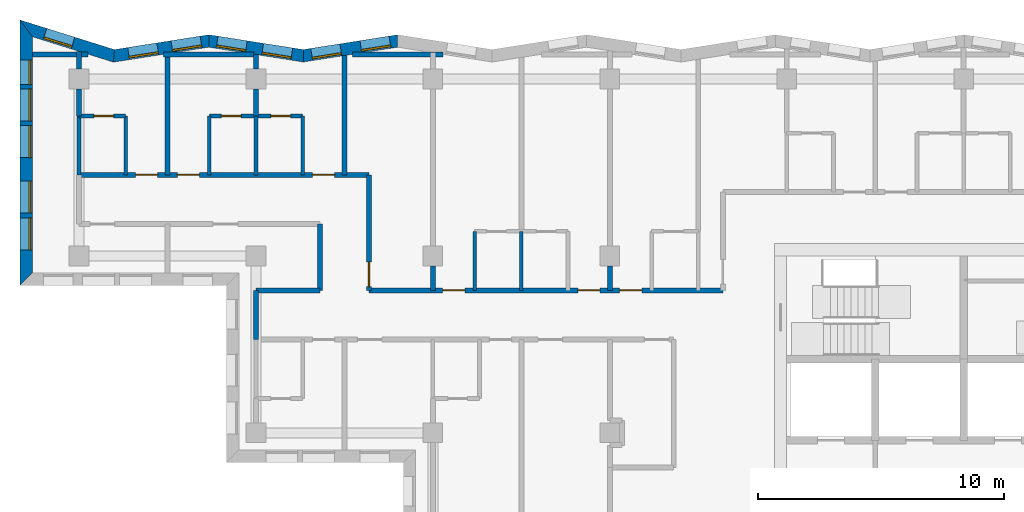
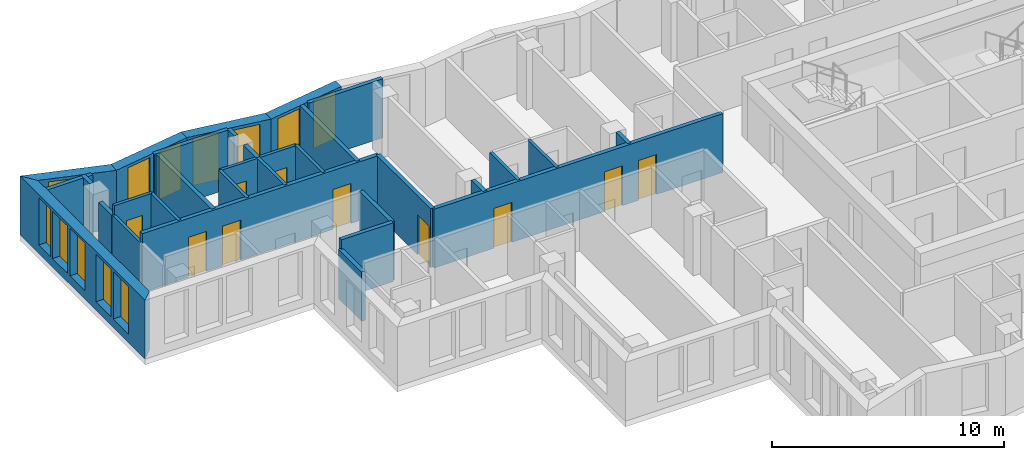
# One storey, part 6 of 13: 31 walls, 12 windows, 10 doors, 22 openings.
"""IFC4 building model written with IfcOpenShell, lengths in metres."""

import ifcopenshell
import ifcopenshell.guid

model = None  # the IFC model being written
_history = None  # IfcOwnerHistory: only IFC2X3 demands one
_inside = {}  # id of a spatial element -> (the spatial element, [elements in it])
_under = {}  # id of a project, library or spatial element -> (it, [spatial elements below it])
_declared = {}  # id of a project -> (the project, [libraries it declares])
_typed = {}  # id of a type object -> (the type object, [elements of that type])
_made_of = {}  # id of a material, layer set ... -> (it, [elements and type objects made of it])


def new_model(schema):
    """Start an empty IFC model of exactly this schema.

    Asked for "IFC4X3", IfcOpenShell would pick the latest addendum, in which some entities
    have other attributes; the version numbers below select the first issue.
    IFC2X3 requires an IfcOwnerHistory on every rooted entity: one is made here for all.
    """
    global model, _history
    if schema == "IFC4X3":
        model = ifcopenshell.file(schema_version=(4, 3, 0, 0))
    else:
        model = ifcopenshell.file(schema=schema)
    _inside.clear()
    _under.clear()
    _declared.clear()
    _typed.clear()
    _made_of.clear()
    _history = None
    if model.schema == "IFC2X3":
        org = make("IfcOrganization", Name="unknown")
        user = make(
            "IfcPersonAndOrganization",
            ThePerson=make("IfcPerson", FamilyName="unknown"),
            TheOrganization=org,
        )
        app = make(
            "IfcApplication",
            ApplicationDeveloper=org,
            Version="unknown",
            ApplicationFullName="unknown",
            ApplicationIdentifier="unknown",
        )
        _history = make(
            "IfcOwnerHistory",
            OwningUser=user,
            OwningApplication=app,
            ChangeAction="ADDED",
            CreationDate=0,
        )
    return model


def make(cls, **values):
    """One entity of the class cls with the attributes given. An attribute that is None is left unset."""
    return model.create_entity(
        cls, **{name: value for name, value in values.items() if value is not None}
    )


def rooted(cls, **values):
    """An entity with a GlobalId (a new one), such as an element, a storey or a relation."""
    return make(cls, GlobalId=ifcopenshell.guid.new(), OwnerHistory=_history, **values)


def si_unit(unit_type, name, prefix=None):
    """IfcSIUnit, for example si_unit("LENGTHUNIT", "METRE", prefix="MILLI")."""
    return make("IfcSIUnit", UnitType=unit_type, Prefix=prefix, Name=name)


def assignment(units):
    """IfcUnitAssignment: the units of a project."""
    return None if units is None else make("IfcUnitAssignment", Units=units)


def point(xyz):
    """IfcCartesianPoint."""
    return None if xyz is None else make("IfcCartesianPoint", Coordinates=xyz)


def direction(xyz):
    """IfcDirection."""
    return None if xyz is None else make("IfcDirection", DirectionRatios=xyz)


def frame(location, z_axis=None, x_axis=None):
    """IfcAxis2Placement3D, a coordinate frame: its origin and axes. An axis left out is left unset."""
    return make(
        "IfcAxis2Placement3D",
        Location=point(location),
        Axis=direction(z_axis),
        RefDirection=direction(x_axis),
    )


def frame_2d(location, x_axis=None):
    """IfcAxis2Placement2D, a coordinate frame in the plane: its origin and x axis."""
    return make(
        "IfcAxis2Placement2D", Location=point(location), RefDirection=direction(x_axis)
    )


def origin():
    """The frame at (0, 0, 0) with its axes left unset."""
    return frame((0.0, 0.0, 0.0))


def place(relative_to, where):
    """IfcLocalPlacement: puts the frame where relative to a parent placement (None: the world)."""
    return make(
        "IfcLocalPlacement", PlacementRelTo=relative_to, RelativePlacement=where
    )


def context(
    kind, dimensions, precision=None, world=None, true_north=None, identifier=None
):
    """IfcGeometricRepresentationContext, for example the 3D "Model" context."""
    return make(
        "IfcGeometricRepresentationContext",
        ContextIdentifier=identifier,
        ContextType=kind,
        CoordinateSpaceDimension=dimensions,
        Precision=precision,
        WorldCoordinateSystem=world,
        TrueNorth=true_north,
    )


def subcontext(parent, identifier, kind, view, scale=None):
    """IfcGeometricRepresentationSubContext, for example "Body" below "Model"."""
    return make(
        "IfcGeometricRepresentationSubContext",
        ContextIdentifier=identifier,
        ContextType=kind,
        ParentContext=parent,
        TargetScale=scale,
        TargetView=view,
    )


def project(units=None, contexts=None):
    """IfcProject with its units and contexts."""
    return rooted(
        "IfcProject",
        Name="project",
        RepresentationContexts=contexts,
        UnitsInContext=assignment(units),
    )


def spatial(cls, under=None, at=None, **own):
    """A site, building, storey or space (cls), placed at a placement, below another one or the project."""
    s = rooted(cls, ObjectPlacement=at, **own)
    if under is not None:
        _under.setdefault(under.id(), (under, []))[1].append(s)
    return s


def polyline(points):
    """IfcPolyline through the points."""
    return make("IfcPolyline", Points=[point(p) for p in points])


def profile(cls, at=None, kind="AREA", **sizes):
    """A parametric profile (cls). Its sizes go by their IFC names, for example OverallWidth=200.0."""
    return make(cls, ProfileType=kind, Position=at, **sizes)


def rectangle(**sizes):
    """IfcRectangleProfileDef."""
    return profile("IfcRectangleProfileDef", **sizes)


def outline(outer, holes=None, kind="AREA"):
    """IfcArbitraryClosedProfileDef: a profile drawn as a closed curve; with holes, ...WithVoids."""
    if holes is None:
        return make("IfcArbitraryClosedProfileDef", ProfileType=kind, OuterCurve=outer)
    return make(
        "IfcArbitraryProfileDefWithVoids",
        ProfileType=kind,
        OuterCurve=outer,
        InnerCurves=holes,
    )


def extrude(swept, where, along, depth):
    """IfcExtrudedAreaSolid: the profile swept, set in the frame where, extruded along a direction by depth."""
    return make(
        "IfcExtrudedAreaSolid",
        SweptArea=swept,
        Position=where,
        ExtrudedDirection=direction(along),
        Depth=depth,
    )


def shape(context_of_items, identifier, shape_type, items):
    """IfcShapeRepresentation: the items that make up one representation, for example the "Body"."""
    return make(
        "IfcShapeRepresentation",
        ContextOfItems=context_of_items,
        RepresentationIdentifier=identifier,
        RepresentationType=shape_type,
        Items=items,
    )


def material(Name=None, Category=None):
    """IfcMaterial."""
    return make("IfcMaterial", Name=Name, Category=Category)


def layer(
    of_material, thickness, ventilated=None, Name=None, Category=None, Priority=None
):
    """IfcMaterialLayer: one layer of a wall or slab, of a material (None: an air gap)."""
    return make(
        "IfcMaterialLayer",
        Material=of_material,
        LayerThickness=thickness,
        IsVentilated=ventilated,
        Name=Name,
        Category=Category,
        Priority=Priority,
    )


def layer_set(layers, Name=None):
    """IfcMaterialLayerSet."""
    return make("IfcMaterialLayerSet", MaterialLayers=layers, LayerSetName=Name)


def made_of(thing, what):
    """Note that an element or type object is made of a material, layer set ...; save() writes the relation."""
    if what is not None:
        _made_of.setdefault(what.id(), (what, []))[1].append(thing)
    return thing


def type_object(cls, material=None, **own):
    """A type object (cls), such as IfcWallType, which elements share."""
    return made_of(rooted(cls, **own), material)


def element(
    cls,
    number,
    at=None,
    inside=None,
    cuts=None,
    type_object=None,
    material=None,
    context=None,
    identifier="Body",
    shape_type=None,
    held_by="IfcProductDefinitionShape",
    body=None,
    shapes=None,
    **own,
):
    """One element of the class cls, such as IfcWall. Its Tag is "e" and its number.

    at: its placement. inside: the storey or other place that contains it. cuts: it is an
    opening in that element (IfcRelVoidsElement). A single representation is given by context,
    identifier, shape_type and body (its items); several are given by shapes. held_by: the class
    of the entity that holds the representations. save() writes the other relations.
    """
    e = rooted(cls, Tag="e%d" % number, ObjectPlacement=at, **own)
    if body is not None:
        shapes = [shape(context, identifier, shape_type, body)]
    if shapes is not None:
        e.Representation = make(held_by, Representations=shapes)
    if inside is not None:
        _inside.setdefault(inside.id(), (inside, []))[1].append(e)
    if cuts is not None:
        rooted(
            "IfcRelVoidsElement", RelatingBuildingElement=cuts, RelatedOpeningElement=e
        )
    if type_object is not None:
        _typed.setdefault(type_object.id(), (type_object, []))[1].append(e)
    return made_of(e, material)


def fill(opening, filler):
    """IfcRelFillsElement: the door or window that sits in an opening."""
    return rooted(
        "IfcRelFillsElement",
        RelatingOpeningElement=opening,
        RelatedBuildingElement=filler,
    )


def aggregate(whole, parts):
    """IfcRelAggregates: a whole, such as a stair, and the parts it consists of."""
    return rooted("IfcRelAggregates", RelatingObject=whole, RelatedObjects=parts)


def save(model, path):
    """Write the relations noted so far, then the file.

    IfcRelAggregates (storeys below a building ...), IfcRelContainedInSpatialStructure (elements
    in a storey), IfcRelDefinesByType, IfcRelAssociatesMaterial and IfcRelDeclares: one each for
    every whole, place, type object, material and project.
    """
    for whole, parts in _under.values():
        aggregate(whole, parts)
    for where, things in _inside.values():
        rooted(
            "IfcRelContainedInSpatialStructure",
            RelatedElements=things,
            RelatingStructure=where,
        )
    for kind, things in _typed.values():
        rooted("IfcRelDefinesByType", RelatedObjects=things, RelatingType=kind)
    for what, things in _made_of.values():
        rooted("IfcRelAssociatesMaterial", RelatedObjects=things, RelatingMaterial=what)
    for by, libraries in _declared.values():
        rooted("IfcRelDeclares", RelatingContext=by, RelatedDefinitions=libraries)
    model.write(path)


model = new_model("IFC4")

# Units and contexts
model_context = context("Model", 3, precision=1e-05, world=origin(), true_north=direction((0.0, 1.0)))
body_context = subcontext(model_context, "Body", "Model", "MODEL_VIEW")
ifc_project = project(units=[si_unit("LENGTHUNIT", "METRE"), si_unit("AREAUNIT", "SQUARE_METRE"), si_unit("VOLUMEUNIT", "CUBIC_METRE"), si_unit("PLANEANGLEUNIT", "RADIAN"), si_unit("MASSUNIT", "GRAM", prefix="KILO")], contexts=[model_context])

# Site, building, storey
site_placement = place(None, origin())
site = spatial("IfcSite", under=ifc_project, at=site_placement, CompositionType="ELEMENT")
building_placement = place(site_placement, origin())
building = spatial("IfcBuilding", under=site, at=building_placement, Name="Windrow Commons", CompositionType="ELEMENT")
storey_placement = place(building_placement, frame((0.0, 0.0, 223.6)))
storey = spatial("IfcBuildingStorey", under=building, at=storey_placement, Name="L61", CompositionType="ELEMENT", Elevation=223.6)

# Wall, openings, windows
ifc_material_1 = material(Name="Brick masonry, red clay brick", Category="masonry")
ifc_layer_1 = layer(ifc_material_1, 0.5)
ifc_layer_set_1 = layer_set([ifc_layer_1], Name="Brick facade wall 500")
wall_type_1 = type_object("IfcWallType", Name="Brick facade wall 500", PredefinedType="SOLIDWALL", material=ifc_layer_set_1)
wall_1_placement = place(storey_placement, frame((41.768, 73.5499, 0.0), z_axis=(0.0, 0.0, 1.0), x_axis=(-0.9879113447, -0.155019918, 0.0)))
wall_1 = element("IfcWall", 1, at=wall_1_placement, inside=storey, type_object=wall_type_1, Name="Brick facade wall L61 27", PredefinedType="SOLIDWALL", context=body_context, shape_type="SweptSolid", body=[
    extrude(outline(polyline([(-0.0392, -0.25), (3.8505, -0.25), (3.929, 0.25), (0.0392, 0.25), (-0.0392, -0.25)])), origin(), (0.0, 0.0, 1.0), 3.1),
])
opening_1_placement = place(wall_1_placement, frame((0.3169, 0.0, 0.45)))
opening_1 = element("IfcOpeningElement", 2, at=opening_1_placement, cuts=wall_1, Name="Opening W7E", PredefinedType="OPENING", context=body_context, shape_type="SweptSolid", body=[
    extrude(rectangle(XDim=1.2, YDim=2.5, at=frame_2d((0.6, 1.25))), frame((0.0, 0.26, 0.0), z_axis=(0.0, -1.0, 0.0), x_axis=(1.0, 0.0, 0.0)), (0.0, 0.0, 1.0), 0.52),
])
opening_2_placement = place(wall_1_placement, frame((2.3421, 0.0, 0.45)))
opening_2 = element("IfcOpeningElement", 3, at=opening_2_placement, cuts=wall_1, Name="Opening W7E", PredefinedType="OPENING", context=body_context, shape_type="SweptSolid", body=[
    extrude(rectangle(XDim=1.2, YDim=2.5, at=frame_2d((0.6, 1.25))), frame((0.0, 0.26, 0.0), z_axis=(0.0, -1.0, 0.0), x_axis=(1.0, 0.0, 0.0)), (0.0, 0.0, 1.0), 0.52),
])
ifc_material_2 = material(Name="Clear float glass in anodised aluminium frame", Category="aluminium")
window_type_1 = type_object("IfcWindowType", Name="Window W7 notch 1200x2500", PartitioningType="SINGLE_PANEL", PredefinedType="WINDOW", material=ifc_material_2)
window_1_placement = place(opening_1_placement, origin())
window_1 = element("IfcWindow", 4, at=window_1_placement, inside=storey, type_object=window_type_1, Name="Window L61 27.1", OverallHeight=2.5, OverallWidth=1.2, PartitioningType="SINGLE_PANEL", PredefinedType="WINDOW", context=body_context, shape_type="SweptSolid", body=[
    extrude(rectangle(XDim=1.2, YDim=2.5, at=frame_2d((0.6, 1.25))), frame((0.0, 0.18, 0.0), z_axis=(0.0, -1.0, 0.0), x_axis=(1.0, 0.0, 0.0)), (0.0, 0.0, 1.0), 0.06),
])
fill(opening_1, window_1)
window_2_placement = place(opening_2_placement, origin())
window_2 = element("IfcWindow", 5, at=window_2_placement, inside=storey, type_object=window_type_1, Name="Window L61 27.2", OverallHeight=2.5, OverallWidth=1.2, PartitioningType="SINGLE_PANEL", PredefinedType="WINDOW", context=body_context, shape_type="SweptSolid", body=[
    extrude(rectangle(XDim=1.2, YDim=2.5, at=frame_2d((0.6, 1.25))), frame((0.0, 0.18, 0.0), z_axis=(0.0, -1.0, 0.0), x_axis=(1.0, 0.0, 0.0)), (0.0, 0.0, 1.0), 0.06),
])
fill(opening_2, window_2)

wall_2_placement = place(storey_placement, frame((37.9252, 72.9469, 0.0), z_axis=(0.0, 0.0, 1.0), x_axis=(-0.9879107269, 0.1550238552, 0.0)))
wall_2 = element("IfcWall", 6, at=wall_2_placement, inside=storey, type_object=wall_type_1, Name="Brick facade wall L61 28", PredefinedType="SOLIDWALL", context=body_context, shape_type="SweptSolid", body=[
    extrude(outline(polyline([(0.0392, -0.25), (3.929, -0.25), (3.8505, 0.25), (-0.0392, 0.25), (0.0392, -0.25)])), origin(), (0.0, 0.0, 1.0), 3.1),
])
opening_3_placement = place(wall_2_placement, frame((0.4744, 0.0, 0.45)))
opening_3 = element("IfcOpeningElement", 7, at=opening_3_placement, cuts=wall_2, Name="Opening W7E", PredefinedType="OPENING", context=body_context, shape_type="SweptSolid", body=[
    extrude(rectangle(XDim=1.2, YDim=2.5, at=frame_2d((0.6, 1.25))), frame((0.0, 0.26, 0.0), z_axis=(0.0, -1.0, 0.0), x_axis=(1.0, 0.0, 0.0)), (0.0, 0.0, 1.0), 0.52),
])
opening_4_placement = place(wall_2_placement, frame((2.3497, 0.0, 0.45)))
opening_4 = element("IfcOpeningElement", 8, at=opening_4_placement, cuts=wall_2, Name="Opening W7E", PredefinedType="OPENING", context=body_context, shape_type="SweptSolid", body=[
    extrude(rectangle(XDim=1.2, YDim=2.5, at=frame_2d((0.6, 1.25))), frame((0.0, 0.26, 0.0), z_axis=(0.0, -1.0, 0.0), x_axis=(1.0, 0.0, 0.0)), (0.0, 0.0, 1.0), 0.52),
])
window_3_placement = place(opening_3_placement, origin())
window_3 = element("IfcWindow", 9, at=window_3_placement, inside=storey, type_object=window_type_1, Name="Window L61 28.1", OverallHeight=2.5, OverallWidth=1.2, PartitioningType="SINGLE_PANEL", PredefinedType="WINDOW", context=body_context, shape_type="SweptSolid", body=[
    extrude(rectangle(XDim=1.2, YDim=2.5, at=frame_2d((0.6, 1.25))), frame((0.0, 0.18, 0.0), z_axis=(0.0, -1.0, 0.0), x_axis=(1.0, 0.0, 0.0)), (0.0, 0.0, 1.0), 0.06),
])
fill(opening_3, window_3)
window_4_placement = place(opening_4_placement, origin())
window_4 = element("IfcWindow", 10, at=window_4_placement, inside=storey, type_object=window_type_1, Name="Window L61 28.2", OverallHeight=2.5, OverallWidth=1.2, PartitioningType="SINGLE_PANEL", PredefinedType="WINDOW", context=body_context, shape_type="SweptSolid", body=[
    extrude(rectangle(XDim=1.2, YDim=2.5, at=frame_2d((0.6, 1.25))), frame((0.0, 0.18, 0.0), z_axis=(0.0, -1.0, 0.0), x_axis=(1.0, 0.0, 0.0)), (0.0, 0.0, 1.0), 0.06),
])
fill(opening_4, window_4)

wall_3_placement = place(storey_placement, frame((34.0825, 73.5499, 0.0), z_axis=(0.0, 0.0, 1.0), x_axis=(-0.9879139197, -0.1550035072, 0.0)))
wall_3 = element("IfcWall", 11, at=wall_3_placement, inside=storey, type_object=wall_type_1, Name="Brick facade wall L61 29", PredefinedType="SOLIDWALL", context=body_context, shape_type="SweptSolid", body=[
    extrude(outline(polyline([(-0.0392, -0.25), (3.8505, -0.25), (3.9674, 0.25), (0.0392, 0.25), (-0.0392, -0.25)])), origin(), (0.0, 0.0, 1.0), 3.1),
])
opening_5_placement = place(wall_3_placement, frame((0.3212, 0.0, 0.45)))
opening_5 = element("IfcOpeningElement", 12, at=opening_5_placement, cuts=wall_3, Name="Opening W7E", PredefinedType="OPENING", context=body_context, shape_type="SweptSolid", body=[
    extrude(rectangle(XDim=1.2, YDim=2.5, at=frame_2d((0.6, 1.25))), frame((0.0, 0.26, 0.0), z_axis=(0.0, -1.0, 0.0), x_axis=(1.0, 0.0, 0.0)), (0.0, 0.0, 1.0), 0.52),
])
opening_6_placement = place(wall_3_placement, frame((2.106, 0.0, 0.45)))
opening_6 = element("IfcOpeningElement", 13, at=opening_6_placement, cuts=wall_3, Name="Opening W7E", PredefinedType="OPENING", context=body_context, shape_type="SweptSolid", body=[
    extrude(rectangle(XDim=1.2, YDim=2.5, at=frame_2d((0.6, 1.25))), frame((0.0, 0.26, 0.0), z_axis=(0.0, -1.0, 0.0), x_axis=(1.0, 0.0, 0.0)), (0.0, 0.0, 1.0), 0.52),
])
window_5_placement = place(opening_5_placement, origin())
window_5 = element("IfcWindow", 14, at=window_5_placement, inside=storey, type_object=window_type_1, Name="Window L61 29.1", OverallHeight=2.5, OverallWidth=1.2, PartitioningType="SINGLE_PANEL", PredefinedType="WINDOW", context=body_context, shape_type="SweptSolid", body=[
    extrude(rectangle(XDim=1.2, YDim=2.5, at=frame_2d((0.6, 1.25))), frame((0.0, 0.18, 0.0), z_axis=(0.0, -1.0, 0.0), x_axis=(1.0, 0.0, 0.0)), (0.0, 0.0, 1.0), 0.06),
])
fill(opening_5, window_5)
window_6_placement = place(opening_6_placement, origin())
window_6 = element("IfcWindow", 15, at=window_6_placement, inside=storey, type_object=window_type_1, Name="Window L61 29.2", OverallHeight=2.5, OverallWidth=1.2, PartitioningType="SINGLE_PANEL", PredefinedType="WINDOW", context=body_context, shape_type="SweptSolid", body=[
    extrude(rectangle(XDim=1.2, YDim=2.5, at=frame_2d((0.6, 1.25))), frame((0.0, 0.18, 0.0), z_axis=(0.0, -1.0, 0.0), x_axis=(1.0, 0.0, 0.0)), (0.0, 0.0, 1.0), 0.06),
])
fill(opening_6, window_6)

# Wall, opening, window
wall_4_placement = place(storey_placement, frame((30.2208, 72.944, 0.0), z_axis=(0.0, 0.0, 1.0), x_axis=(-0.9543287576, 0.2987584683, 0.0)))
wall_4 = element("IfcWall", 16, at=wall_4_placement, inside=storey, type_object=wall_type_1, Name="Brick facade wall L61 30", PredefinedType="SOLIDWALL", context=body_context, shape_type="SweptSolid", body=[
    extrude(outline(polyline([(0.0584, -0.25), (4.0851, -0.25), (3.4046, 0.25), (-0.0584, 0.25), (0.0584, -0.25)])), origin(), (0.0, 0.0, 1.0), 3.1),
])
opening_7_placement = place(wall_4_placement, frame((1.7467, 0.0, 0.45)))
opening_7 = element("IfcOpeningElement", 17, at=opening_7_placement, cuts=wall_4, Name="Opening W7E", PredefinedType="OPENING", context=body_context, shape_type="SweptSolid", body=[
    extrude(rectangle(XDim=1.2, YDim=2.5, at=frame_2d((0.6, 1.25))), frame((0.0, 0.26, 0.0), z_axis=(0.0, -1.0, 0.0), x_axis=(1.0, 0.0, 0.0)), (0.0, 0.0, 1.0), 0.52),
])
window_7_placement = place(opening_7_placement, origin())
window_7 = element("IfcWindow", 18, at=window_7_placement, inside=storey, type_object=window_type_1, Name="Window L61 30.1", OverallHeight=2.5, OverallWidth=1.2, PartitioningType="SINGLE_PANEL", PredefinedType="WINDOW", context=body_context, shape_type="SweptSolid", body=[
    extrude(rectangle(XDim=1.2, YDim=2.5, at=frame_2d((0.6, 1.25))), frame((0.0, 0.18, 0.0), z_axis=(0.0, -1.0, 0.0), x_axis=(1.0, 0.0, 0.0)), (0.0, 0.0, 1.0), 0.06),
])
fill(opening_7, window_7)

# Wall, openings, windows
wall_5_placement = place(storey_placement, frame((26.647, 74.0628, 0.0), z_axis=(0.0, 0.0, 1.0), x_axis=(0.0, -1.0, 0.0)))
wall_5 = element("IfcWall", 19, at=wall_5_placement, inside=storey, type_object=wall_type_1, Name="Brick facade wall L61 31", PredefinedType="SOLIDWALL", context=body_context, shape_type="SweptSolid", body=[
    extrude(outline(polyline([(-0.3402, -0.25), (10.4628, -0.25), (9.9628, 0.25), (0.3402, 0.25), (-0.3402, -0.25)])), origin(), (0.0, 0.0, 1.0), 3.1),
])
opening_8_placement = place(wall_5_placement, frame((2.4628, 0.0, 0.45)))
opening_8 = element("IfcOpeningElement", 20, at=opening_8_placement, cuts=wall_5, Name="Opening W1Q", PredefinedType="OPENING", context=body_context, shape_type="SweptSolid", body=[
    extrude(rectangle(XDim=1.3, YDim=2.5, at=frame_2d((0.65, 1.25))), frame((0.0, 0.26, 0.0), z_axis=(0.0, -1.0, 0.0), x_axis=(1.0, 0.0, 0.0)), (0.0, 0.0, 1.0), 0.52),
])
opening_9_placement = place(wall_5_placement, frame((3.9628, 0.0, 0.45)))
opening_9 = element("IfcOpeningElement", 21, at=opening_9_placement, cuts=wall_5, Name="Opening W1Q", PredefinedType="OPENING", context=body_context, shape_type="SweptSolid", body=[
    extrude(rectangle(XDim=1.3, YDim=2.5, at=frame_2d((0.65, 1.25))), frame((0.0, 0.26, 0.0), z_axis=(0.0, -1.0, 0.0), x_axis=(1.0, 0.0, 0.0)), (0.0, 0.0, 1.0), 0.52),
])
opening_10_placement = place(wall_5_placement, frame((6.2128, 0.0, 0.45)))
opening_10 = element("IfcOpeningElement", 22, at=opening_10_placement, cuts=wall_5, Name="Opening W1Q", PredefinedType="OPENING", context=body_context, shape_type="SweptSolid", body=[
    extrude(rectangle(XDim=1.3, YDim=2.5, at=frame_2d((0.65, 1.25))), frame((0.0, 0.26, 0.0), z_axis=(0.0, -1.0, 0.0), x_axis=(1.0, 0.0, 0.0)), (0.0, 0.0, 1.0), 0.52),
])
opening_11_placement = place(wall_5_placement, frame((7.7128, 0.0, 0.45)))
opening_11 = element("IfcOpeningElement", 23, at=opening_11_placement, cuts=wall_5, Name="Opening W1Q", PredefinedType="OPENING", context=body_context, shape_type="SweptSolid", body=[
    extrude(rectangle(XDim=1.3, YDim=2.5, at=frame_2d((0.65, 1.25))), frame((0.0, 0.26, 0.0), z_axis=(0.0, -1.0, 0.0), x_axis=(1.0, 0.0, 0.0)), (0.0, 0.0, 1.0), 0.52),
])
opening_12_placement = place(wall_5_placement, frame((1.2879, 0.0, 0.45)))
opening_12 = element("IfcOpeningElement", 24, at=opening_12_placement, cuts=wall_5, Name="Opening W1S", PredefinedType="OPENING", context=body_context, shape_type="SweptSolid", body=[
    extrude(rectangle(XDim=1.0, YDim=2.5, at=frame_2d((0.5, 1.25))), frame((0.0, 0.26, 0.0), z_axis=(0.0, -1.0, 0.0), x_axis=(1.0, 0.0, 0.0)), (0.0, 0.0, 1.0), 0.52),
])
ifc_material_3 = material(Name="Clear float glass in anodised aluminium frame", Category="aluminium")
window_type_2 = type_object("IfcWindowType", Name="Window W1Q pair 1300x2500", PartitioningType="SINGLE_PANEL", PredefinedType="WINDOW", material=ifc_material_3)
window_8_placement = place(opening_8_placement, origin())
window_8 = element("IfcWindow", 25, at=window_8_placement, inside=storey, type_object=window_type_2, Name="Window L61 31.1A", OverallHeight=2.5, OverallWidth=1.3, PartitioningType="SINGLE_PANEL", PredefinedType="WINDOW", context=body_context, shape_type="SweptSolid", body=[
    extrude(rectangle(XDim=1.3, YDim=2.5, at=frame_2d((0.65, 1.25))), frame((0.0, 0.18, 0.0), z_axis=(0.0, -1.0, 0.0), x_axis=(1.0, 0.0, 0.0)), (0.0, 0.0, 1.0), 0.06),
])
fill(opening_8, window_8)
window_9_placement = place(opening_9_placement, origin())
window_9 = element("IfcWindow", 26, at=window_9_placement, inside=storey, type_object=window_type_2, Name="Window L61 31.1B", OverallHeight=2.5, OverallWidth=1.3, PartitioningType="SINGLE_PANEL", PredefinedType="WINDOW", context=body_context, shape_type="SweptSolid", body=[
    extrude(rectangle(XDim=1.3, YDim=2.5, at=frame_2d((0.65, 1.25))), frame((0.0, 0.18, 0.0), z_axis=(0.0, -1.0, 0.0), x_axis=(1.0, 0.0, 0.0)), (0.0, 0.0, 1.0), 0.06),
])
fill(opening_9, window_9)
window_10_placement = place(opening_10_placement, origin())
window_10 = element("IfcWindow", 27, at=window_10_placement, inside=storey, type_object=window_type_2, Name="Window L61 31.2A", OverallHeight=2.5, OverallWidth=1.3, PartitioningType="SINGLE_PANEL", PredefinedType="WINDOW", context=body_context, shape_type="SweptSolid", body=[
    extrude(rectangle(XDim=1.3, YDim=2.5, at=frame_2d((0.65, 1.25))), frame((0.0, 0.18, 0.0), z_axis=(0.0, -1.0, 0.0), x_axis=(1.0, 0.0, 0.0)), (0.0, 0.0, 1.0), 0.06),
])
fill(opening_10, window_10)
window_11_placement = place(opening_11_placement, origin())
window_11 = element("IfcWindow", 28, at=window_11_placement, inside=storey, type_object=window_type_2, Name="Window L61 31.2B", OverallHeight=2.5, OverallWidth=1.3, PartitioningType="SINGLE_PANEL", PredefinedType="WINDOW", context=body_context, shape_type="SweptSolid", body=[
    extrude(rectangle(XDim=1.3, YDim=2.5, at=frame_2d((0.65, 1.25))), frame((0.0, 0.18, 0.0), z_axis=(0.0, -1.0, 0.0), x_axis=(1.0, 0.0, 0.0)), (0.0, 0.0, 1.0), 0.06),
])
fill(opening_11, window_11)
ifc_material_4 = material(Name="Clear float glass in anodised aluminium frame", Category="aluminium")
window_type_3 = type_object("IfcWindowType", Name="Window W1S slit 1000x2500", PartitioningType="SINGLE_PANEL", PredefinedType="WINDOW", material=ifc_material_4)
window_12_placement = place(opening_12_placement, origin())
window_12 = element("IfcWindow", 29, at=window_12_placement, inside=storey, type_object=window_type_3, Name="Window L61 31.3A", OverallHeight=2.5, OverallWidth=1.0, PartitioningType="SINGLE_PANEL", PredefinedType="WINDOW", context=body_context, shape_type="SweptSolid", body=[
    extrude(rectangle(XDim=1.0, YDim=2.5, at=frame_2d((0.5, 1.25))), frame((0.0, 0.18, 0.0), z_axis=(0.0, -1.0, 0.0), x_axis=(1.0, 0.0, 0.0)), (0.0, 0.0, 1.0), 0.06),
])
fill(opening_12, window_12)

# Wall, openings, doors
ifc_material_5 = material(Name="Blockwork partition", Category="masonry")
ifc_layer_2 = layer(ifc_material_5, 0.2)
ifc_layer_set_2 = layer_set([ifc_layer_2], Name="IW-CORRIDOR-200")
wall_type_2 = type_object("IfcWallType", Name="IW-CORRIDOR-200", PredefinedType="PARTITIONING", material=ifc_layer_set_2)
wall_6_placement = place(storey_placement, frame((40.602, 63.4, 0.0), z_axis=(0.0, 0.0, 1.0), x_axis=(1.0, 0.0, 0.0)))
wall_6 = element("IfcWall", 30, at=wall_6_placement, inside=storey, type_object=wall_type_2, Name="W-L61-W003", PredefinedType="PARTITIONING", context=body_context, shape_type="SweptSolid", body=[
    extrude(rectangle(XDim=14.398, YDim=0.2, at=frame_2d((7.199, 0.0))), origin(), (0.0, 0.0, 1.0), 3.1),
])
opening_13_placement = place(wall_6_placement, frame((2.998, 0.0, 0.0)))
opening_13 = element("IfcOpeningElement", 31, at=opening_13_placement, cuts=wall_6, Name="Opening D109S", PredefinedType="OPENING", context=body_context, shape_type="SweptSolid", body=[
    extrude(rectangle(XDim=0.9, YDim=2.1, at=frame_2d((0.45, 1.05))), frame((0.0, 0.11, 0.0), z_axis=(0.0, -1.0, 0.0), x_axis=(1.0, 0.0, 0.0)), (0.0, 0.0, 1.0), 0.22),
])
opening_14_placement = place(wall_6_placement, frame((8.498, 0.0, 0.0)))
opening_14 = element("IfcOpeningElement", 32, at=opening_14_placement, cuts=wall_6, Name="Opening D109S", PredefinedType="OPENING", context=body_context, shape_type="SweptSolid", body=[
    extrude(rectangle(XDim=0.9, YDim=2.1, at=frame_2d((0.45, 1.05))), frame((0.0, 0.11, 0.0), z_axis=(0.0, -1.0, 0.0), x_axis=(1.0, 0.0, 0.0)), (0.0, 0.0, 1.0), 0.22),
])
opening_15_placement = place(wall_6_placement, frame((10.198, 0.0, 0.0)))
opening_15 = element("IfcOpeningElement", 33, at=opening_15_placement, cuts=wall_6, Name="Opening D109S", PredefinedType="OPENING", context=body_context, shape_type="SweptSolid", body=[
    extrude(rectangle(XDim=0.9, YDim=2.1, at=frame_2d((0.45, 1.05))), frame((0.0, 0.11, 0.0), z_axis=(0.0, -1.0, 0.0), x_axis=(1.0, 0.0, 0.0)), (0.0, 0.0, 1.0), 0.22),
])
ifc_material_6 = material(Name="Timber door leaf", Category="wood")
door_type_1 = type_object("IfcDoorType", Name="DT-BEDROOM-900", OperationType="SINGLE_SWING_LEFT", PredefinedType="DOOR", material=ifc_material_6)
door_1_placement = place(opening_13_placement, origin())
door_1 = element("IfcDoor", 34, at=door_1_placement, inside=storey, type_object=door_type_1, Name="D-L61-D015", OperationType="SINGLE_SWING_RIGHT", OverallHeight=2.1, OverallWidth=0.9, PredefinedType="DOOR", context=body_context, shape_type="SweptSolid", body=[
    extrude(rectangle(XDim=0.9, YDim=2.1, at=frame_2d((0.45, 1.05))), frame((0.0, 0.025, 0.0), z_axis=(0.0, -1.0, 0.0), x_axis=(1.0, 0.0, 0.0)), (0.0, 0.0, 1.0), 0.05),
])
fill(opening_13, door_1)
door_2_placement = place(opening_14_placement, origin())
door_2 = element("IfcDoor", 35, at=door_2_placement, inside=storey, type_object=door_type_1, Name="D-L61-D017", OperationType="SINGLE_SWING_LEFT", OverallHeight=2.1, OverallWidth=0.9, PredefinedType="DOOR", context=body_context, shape_type="SweptSolid", body=[
    extrude(rectangle(XDim=0.9, YDim=2.1, at=frame_2d((0.45, 1.05))), frame((0.0, 0.025, 0.0), z_axis=(0.0, -1.0, 0.0), x_axis=(1.0, 0.0, 0.0)), (0.0, 0.0, 1.0), 0.05),
])
fill(opening_14, door_2)
door_3_placement = place(opening_15_placement, origin())
door_3 = element("IfcDoor", 36, at=door_3_placement, inside=storey, type_object=door_type_1, Name="D-L61-D019", OperationType="SINGLE_SWING_RIGHT", OverallHeight=2.1, OverallWidth=0.9, PredefinedType="DOOR", context=body_context, shape_type="SweptSolid", body=[
    extrude(rectangle(XDim=0.9, YDim=2.1, at=frame_2d((0.45, 1.05))), frame((0.0, 0.025, 0.0), z_axis=(0.0, -1.0, 0.0), x_axis=(1.0, 0.0, 0.0)), (0.0, 0.0, 1.0), 0.05),
])
fill(opening_15, door_3)

wall_7_placement = place(storey_placement, frame((28.8, 68.1, 0.0), z_axis=(0.0, 0.0, 1.0), x_axis=(1.0, 0.0, 0.0)))
wall_7 = element("IfcWall", 37, at=wall_7_placement, inside=storey, type_object=wall_type_2, Name="W-L61-W005", PredefinedType="PARTITIONING", context=body_context, shape_type="SweptSolid", body=[
    extrude(rectangle(XDim=11.8, YDim=0.2, at=frame_2d((5.9, 0.0))), origin(), (0.0, 0.0, 1.0), 3.1),
])
opening_16_placement = place(wall_7_placement, frame((2.3, 0.0, 0.0)))
opening_16 = element("IfcOpeningElement", 38, at=opening_16_placement, cuts=wall_7, Name="Opening D109S", PredefinedType="OPENING", context=body_context, shape_type="SweptSolid", body=[
    extrude(rectangle(XDim=0.9, YDim=2.1, at=frame_2d((0.45, 1.05))), frame((0.0, 0.11, 0.0), z_axis=(0.0, -1.0, 0.0), x_axis=(1.0, 0.0, 0.0)), (0.0, 0.0, 1.0), 0.22),
])
opening_17_placement = place(wall_7_placement, frame((4.0, 0.0, 0.0)))
opening_17 = element("IfcOpeningElement", 39, at=opening_17_placement, cuts=wall_7, Name="Opening D109S", PredefinedType="OPENING", context=body_context, shape_type="SweptSolid", body=[
    extrude(rectangle(XDim=0.9, YDim=2.1, at=frame_2d((0.45, 1.05))), frame((0.0, 0.11, 0.0), z_axis=(0.0, -1.0, 0.0), x_axis=(1.0, 0.0, 0.0)), (0.0, 0.0, 1.0), 0.22),
])
opening_18_placement = place(wall_7_placement, frame((9.5, 0.0, 0.0)))
opening_18 = element("IfcOpeningElement", 40, at=opening_18_placement, cuts=wall_7, Name="Opening D109S", PredefinedType="OPENING", context=body_context, shape_type="SweptSolid", body=[
    extrude(rectangle(XDim=0.9, YDim=2.1, at=frame_2d((0.45, 1.05))), frame((0.0, 0.11, 0.0), z_axis=(0.0, -1.0, 0.0), x_axis=(1.0, 0.0, 0.0)), (0.0, 0.0, 1.0), 0.22),
])
door_4_placement = place(opening_16_placement, origin())
door_4 = element("IfcDoor", 41, at=door_4_placement, inside=storey, type_object=door_type_1, Name="D-L61-D002", OperationType="SINGLE_SWING_RIGHT", OverallHeight=2.1, OverallWidth=0.9, PredefinedType="DOOR", context=body_context, shape_type="SweptSolid", body=[
    extrude(rectangle(XDim=0.9, YDim=2.1, at=frame_2d((0.45, 1.05))), frame((0.0, 0.025, 0.0), z_axis=(0.0, -1.0, 0.0), x_axis=(1.0, 0.0, 0.0)), (0.0, 0.0, 1.0), 0.05),
])
fill(opening_16, door_4)
door_5_placement = place(opening_17_placement, origin())
door_5 = element("IfcDoor", 42, at=door_5_placement, inside=storey, type_object=door_type_1, Name="D-L61-D004", OperationType="SINGLE_SWING_LEFT", OverallHeight=2.1, OverallWidth=0.9, PredefinedType="DOOR", context=body_context, shape_type="SweptSolid", body=[
    extrude(rectangle(XDim=0.9, YDim=2.1, at=frame_2d((0.45, 1.05))), frame((0.0, 0.025, 0.0), z_axis=(0.0, -1.0, 0.0), x_axis=(1.0, 0.0, 0.0)), (0.0, 0.0, 1.0), 0.05),
])
fill(opening_17, door_5)
door_6_placement = place(opening_18_placement, origin())
door_6 = element("IfcDoor", 43, at=door_6_placement, inside=storey, type_object=door_type_1, Name="D-L61-D006", OperationType="SINGLE_SWING_RIGHT", OverallHeight=2.1, OverallWidth=0.9, PredefinedType="DOOR", context=body_context, shape_type="SweptSolid", body=[
    extrude(rectangle(XDim=0.9, YDim=2.1, at=frame_2d((0.45, 1.05))), frame((0.0, 0.025, 0.0), z_axis=(0.0, -1.0, 0.0), x_axis=(1.0, 0.0, 0.0)), (0.0, 0.0, 1.0), 0.05),
])
fill(opening_18, door_6)

# Wall, opening, door
wall_8_placement = place(storey_placement, frame((40.6, 63.402, 0.0), z_axis=(0.0, 0.0, 1.0), x_axis=(0.0, 1.0, 0.0)))
wall_8 = element("IfcWall", 44, at=wall_8_placement, inside=storey, type_object=wall_type_2, Name="W-L61-W035", PredefinedType="PARTITIONING", context=body_context, shape_type="SweptSolid", body=[
    extrude(rectangle(XDim=4.698, YDim=0.2, at=frame_2d((2.349, 0.0))), origin(), (0.0, 0.0, 1.0), 3.1),
])
opening_19_placement = place(wall_8_placement, frame((0.1459, 0.0, 0.0)))
opening_19 = element("IfcOpeningElement", 45, at=opening_19_placement, cuts=wall_8, Name="Opening D310F", PredefinedType="OPENING", context=body_context, shape_type="SweptSolid", body=[
    extrude(rectangle(XDim=1.0, YDim=2.1, at=frame_2d((0.5, 1.05))), frame((0.0, 0.11, 0.0), z_axis=(0.0, -1.0, 0.0), x_axis=(1.0, 0.0, 0.0)), (0.0, 0.0, 1.0), 0.22),
])
ifc_material_7 = material(Name="Timber door leaf", Category="wood")
door_type_2 = type_object("IfcDoorType", Name="DT-AMENITY-1000", OperationType="SINGLE_SWING_LEFT", PredefinedType="DOOR", material=ifc_material_7)
door_7_placement = place(opening_19_placement, origin())
door_7 = element("IfcDoor", 46, at=door_7_placement, inside=storey, type_object=door_type_2, Name="D-L61-D014", OperationType="SINGLE_SWING_LEFT", OverallHeight=2.1, OverallWidth=1.0, PredefinedType="DOOR", context=body_context, shape_type="SweptSolid", body=[
    extrude(rectangle(XDim=1.0, YDim=2.1, at=frame_2d((0.5, 1.05))), frame((0.0, 0.025, 0.0), z_axis=(0.0, -1.0, 0.0), x_axis=(1.0, 0.0, 0.0)), (0.0, 0.0, 1.0), 0.05),
])
fill(opening_19, door_7)

# Walls
wall_9_placement = place(storey_placement, frame((38.6, 63.402, 0.0), z_axis=(0.0, 0.0, 1.0), x_axis=(0.0, 1.0, 0.0)))
element("IfcWall", 47, at=wall_9_placement, inside=storey, type_object=wall_type_2, Name="W-L61-W064", PredefinedType="PARTITIONING", context=body_context, shape_type="SweptSolid", body=[
    extrude(rectangle(XDim=2.696, YDim=0.2, at=frame_2d((1.348, 0.0))), origin(), (0.0, 0.0, 1.0), 3.1),
])
wall_10_placement = place(storey_placement, frame((36.002, 63.4, 0.0), z_axis=(0.0, 0.0, 1.0), x_axis=(1.0, 0.0, 0.0)))
element("IfcWall", 48, at=wall_10_placement, inside=storey, type_object=wall_type_2, Name="W-L61-W067", PredefinedType="PARTITIONING", context=body_context, shape_type="SweptSolid", body=[
    extrude(rectangle(XDim=2.598, YDim=0.2, at=frame_2d((1.299, 0.0))), origin(), (0.0, 0.0, 1.0), 3.1),
])
wall_11_placement = place(storey_placement, frame((36.0, 61.4, 0.0), z_axis=(0.0, 0.0, 1.0), x_axis=(0.0, 1.0, 0.0)))
element("IfcWall", 49, at=wall_11_placement, inside=storey, type_object=wall_type_2, Name="W-L61-W107", PredefinedType="PARTITIONING", context=body_context, shape_type="SweptSolid", body=[
    extrude(rectangle(XDim=2.0, YDim=0.2, at=frame_2d((1.0, 0.0))), origin(), (0.0, 0.0, 1.0), 2.6),
])

# Wall, openings, doors
ifc_material_8 = material(Name="Blockwork partition", Category="masonry")
ifc_layer_3 = layer(ifc_material_8, 0.15)
ifc_layer_set_3 = layer_set([ifc_layer_3], Name="IW-ENSUITE-150")
wall_type_3 = type_object("IfcWallType", Name="IW-ENSUITE-150", PredefinedType="PARTITIONING", material=ifc_layer_set_3)
wall_12_placement = place(storey_placement, frame((34.1, 70.5, 0.0), z_axis=(0.0, 0.0, 1.0), x_axis=(1.0, 0.0, 0.0)))
wall_12 = element("IfcWall", 50, at=wall_12_placement, inside=storey, type_object=wall_type_3, Name="W-L61-W050", PredefinedType="PARTITIONING", context=body_context, shape_type="SweptSolid", body=[
    extrude(rectangle(XDim=3.8, YDim=0.15, at=frame_2d((1.9, 0.0))), origin(), (0.0, 0.0, 1.0), 3.1),
])
opening_20_placement = place(wall_12_placement, frame((0.4931, 0.0, 0.0)))
opening_20 = element("IfcOpeningElement", 51, at=opening_20_placement, cuts=wall_12, Name="Opening D208N", PredefinedType="OPENING", context=body_context, shape_type="SweptSolid", body=[
    extrude(rectangle(XDim=0.8, YDim=2.1, at=frame_2d((0.4, 1.05))), frame((0.0, 0.085, 0.0), z_axis=(0.0, -1.0, 0.0), x_axis=(1.0, 0.0, 0.0)), (0.0, 0.0, 1.0), 0.17),
])
opening_21_placement = place(wall_12_placement, frame((2.5069, 0.0, 0.0)))
opening_21 = element("IfcOpeningElement", 52, at=opening_21_placement, cuts=wall_12, Name="Opening D208N", PredefinedType="OPENING", context=body_context, shape_type="SweptSolid", body=[
    extrude(rectangle(XDim=0.8, YDim=2.1, at=frame_2d((0.4, 1.05))), frame((0.0, 0.085, 0.0), z_axis=(0.0, -1.0, 0.0), x_axis=(1.0, 0.0, 0.0)), (0.0, 0.0, 1.0), 0.17),
])
ifc_material_9 = material(Name="Timber door leaf", Category="wood")
door_type_3 = type_object("IfcDoorType", Name="DT-ENSUITE-800", OperationType="SINGLE_SWING_LEFT", PredefinedType="DOOR", material=ifc_material_9)
door_8_placement = place(opening_20_placement, origin())
door_8 = element("IfcDoor", 53, at=door_8_placement, inside=storey, type_object=door_type_3, Name="D-L61-D005", OperationType="SINGLE_SWING_RIGHT", OverallHeight=2.1, OverallWidth=0.8, PredefinedType="DOOR", context=body_context, shape_type="SweptSolid", body=[
    extrude(rectangle(XDim=0.8, YDim=2.1, at=frame_2d((0.4, 1.05))), frame((0.0, 0.025, 0.0), z_axis=(0.0, -1.0, 0.0), x_axis=(1.0, 0.0, 0.0)), (0.0, 0.0, 1.0), 0.05),
])
fill(opening_20, door_8)
door_9_placement = place(opening_21_placement, origin())
door_9 = element("IfcDoor", 54, at=door_9_placement, inside=storey, type_object=door_type_3, Name="D-L61-D007", OperationType="SINGLE_SWING_RIGHT", OverallHeight=2.1, OverallWidth=0.8, PredefinedType="DOOR", context=body_context, shape_type="SweptSolid", body=[
    extrude(rectangle(XDim=0.8, YDim=2.1, at=frame_2d((0.4, 1.05))), frame((0.0, 0.025, 0.0), z_axis=(0.0, -1.0, 0.0), x_axis=(1.0, 0.0, 0.0)), (0.0, 0.0, 1.0), 0.05),
])
fill(opening_21, door_9)

# Walls
wall_13_placement = place(storey_placement, frame((28.8, 68.1, 0.0), z_axis=(0.0, 0.0, 1.0), x_axis=(0.0, 1.0, 0.0)))
element("IfcWall", 55, at=wall_13_placement, inside=storey, type_object=wall_type_3, Name="W-L61-W073", PredefinedType="PARTITIONING", context=body_context, shape_type="SweptSolid", body=[
    extrude(rectangle(XDim=2.4, YDim=0.15, at=frame_2d((1.2, 0.0))), origin(), (0.0, 0.0, 1.0), 2.6),
])
for number, where, z_axis, x_axis, name in (
    (56, (30.7, 68.1, 0.0), (0.0, 0.0, 1.0), (0.0, 1.0, 0.0), "W-L61-W074"),
    (57, (34.1, 68.1, 0.0), (0.0, 0.0, 1.0), (0.0, 1.0, 0.0), "W-L61-W075"),
    (58, (37.9, 68.1, 0.0), (0.0, 0.0, 1.0), (0.0, 1.0, 0.0), "W-L61-W076"),
    (59, (36.0, 68.1, 0.0), (0.0, 0.0, 1.0), (0.0, 1.0, 0.0), "W-L61-W077"),
    (60, (44.9, 63.4, 0.0), (0.0, 0.0, 1.0), (0.0, 1.0, 0.0), "W-L61-W084"),
    (61, (46.8, 63.4, 0.0), (0.0, 0.0, 1.0), (0.0, 1.0, 0.0), "W-L61-W085"),
):
    element("IfcWall", number, at=place(storey_placement, frame(where, z_axis=z_axis, x_axis=x_axis)), inside=storey, type_object=wall_type_3, Name=name, PredefinedType="PARTITIONING", context=body_context, shape_type="SweptSolid", body=[
        extrude(rectangle(XDim=2.4, YDim=0.15, at=frame_2d((1.2, 0.0))), origin(), (0.0, 0.0, 1.0), 3.1),
    ])

# Wall, opening, door
wall_14_placement = place(storey_placement, frame((28.8, 70.5, 0.0), z_axis=(0.0, 0.0, 1.0), x_axis=(1.0, 0.0, 0.0)))
wall_14 = element("IfcWall", 62, at=wall_14_placement, inside=storey, type_object=wall_type_3, Name="W-L61-W116", PredefinedType="PARTITIONING", context=body_context, shape_type="SweptSolid", body=[
    extrude(rectangle(XDim=1.9, YDim=0.15, at=frame_2d((0.95, 0.0))), origin(), (0.0, 0.0, 1.0), 3.1),
])
opening_22_placement = place(wall_14_placement, frame((0.6069, 0.0, 0.0)))
opening_22 = element("IfcOpeningElement", 63, at=opening_22_placement, cuts=wall_14, Name="Opening D208N", PredefinedType="OPENING", context=body_context, shape_type="SweptSolid", body=[
    extrude(rectangle(XDim=0.8, YDim=2.1, at=frame_2d((0.4, 1.05))), frame((0.0, 0.085, 0.0), z_axis=(0.0, -1.0, 0.0), x_axis=(1.0, 0.0, 0.0)), (0.0, 0.0, 1.0), 0.17),
])
door_10_placement = place(opening_22_placement, origin())
door_10 = element("IfcDoor", 64, at=door_10_placement, inside=storey, type_object=door_type_3, Name="D-L61-D003", OperationType="SINGLE_SWING_RIGHT", OverallHeight=2.1, OverallWidth=0.8, PredefinedType="DOOR", context=body_context, shape_type="SweptSolid", body=[
    extrude(rectangle(XDim=0.8, YDim=2.1, at=frame_2d((0.4, 1.05))), frame((0.0, 0.025, 0.0), z_axis=(0.0, -1.0, 0.0), x_axis=(1.0, 0.0, 0.0)), (0.0, 0.0, 1.0), 0.05),
])
fill(opening_22, door_10)

# Walls
ifc_material_10 = material(Name="Blockwork partition", Category="masonry")
ifc_layer_4 = layer(ifc_material_10, 0.2)
ifc_layer_set_4 = layer_set([ifc_layer_4], Name="IW-PARTY-200")
wall_type_4 = type_object("IfcWallType", Name="IW-PARTY-200", PredefinedType="PARTITIONING", material=ifc_layer_set_4)
wall_15_placement = place(storey_placement, frame((32.4, 68.1, 0.0), z_axis=(0.0, 0.0, 1.0), x_axis=(0.0, 1.0, 0.0)))
element("IfcWall", 65, at=wall_15_placement, inside=storey, type_object=wall_type_4, Name="W-L61-W033", PredefinedType="PARTITIONING", context=body_context, shape_type="SweptSolid", body=[
    extrude(rectangle(XDim=4.9329, YDim=0.2, at=frame_2d((2.4665, 0.0))), origin(), (0.0, 0.0, 1.0), 3.1),
])
wall_16_placement = place(storey_placement, frame((39.6, 68.1, 0.0), z_axis=(0.0, 0.0, 1.0), x_axis=(0.0, 1.0, 0.0)))
element("IfcWall", 66, at=wall_16_placement, inside=storey, type_object=wall_type_4, Name="W-L61-W034", PredefinedType="PARTITIONING", context=body_context, shape_type="SweptSolid", body=[
    extrude(rectangle(XDim=4.8567, YDim=0.2, at=frame_2d((2.4284, 0.0))), origin(), (0.0, 0.0, 1.0), 3.1),
])
for number, where, z_axis, x_axis, name in (
    (67, (32.2405, 73.0, 0.0), (0.0, 0.0, 1.0), (1.0, 0.0, 0.0), "W-L61-W052"),
    (68, (39.926, 73.0, 0.0), (0.0, 0.0, 1.0), (1.0, 0.0, 0.0), "W-L61-W053"),
):
    element("IfcWall", number, at=place(storey_placement, frame(where, z_axis=z_axis, x_axis=x_axis)), inside=storey, type_object=wall_type_4, Name=name, PredefinedType="PARTITIONING", context=body_context, shape_type="SweptSolid", body=[
        extrude(rectangle(XDim=3.6839, YDim=0.2, at=frame_2d((1.8419, 0.0))), origin(), (0.0, 0.0, 1.0), 3.1),
    ])
wall_17_placement = place(storey_placement, frame((26.897, 73.0, 0.0), z_axis=(0.0, 0.0, 1.0), x_axis=(1.0, 0.0, 0.0)))
element("IfcWall", 69, at=wall_17_placement, inside=storey, type_object=wall_type_4, Name="W-L61-W103", PredefinedType="PARTITIONING", context=body_context, shape_type="SweptSolid", body=[
    extrude(rectangle(XDim=2.258, YDim=0.2, at=frame_2d((1.129, 0.0))), origin(), (0.0, 0.0, 1.0), 3.1),
])
wall_18_placement = place(storey_placement, frame((28.8, 70.5, 0.0), z_axis=(0.0, 0.0, 1.0), x_axis=(0.0, 1.0, 0.0)))
element("IfcWall", 70, at=wall_18_placement, inside=storey, type_object=wall_type_4, Name="W-L61-W134", PredefinedType="PARTITIONING", context=body_context, shape_type="SweptSolid", body=[
    extrude(rectangle(XDim=1.1, YDim=0.2, at=frame_2d((0.55, 0.0))), origin(), (0.0, 0.0, 1.0), 2.6),
])
wall_19_placement = place(storey_placement, frame((36.0, 70.5, 0.0), z_axis=(0.0, 0.0, 1.0), x_axis=(0.0, 1.0, 0.0)))
element("IfcWall", 71, at=wall_19_placement, inside=storey, type_object=wall_type_4, Name="W-L61-W135", PredefinedType="PARTITIONING", context=body_context, shape_type="SweptSolid", body=[
    extrude(rectangle(XDim=1.1, YDim=0.2, at=frame_2d((0.55, 0.0))), origin(), (0.0, 0.0, 1.0), 3.1),
])
for number, where, z_axis, x_axis, name in (
    (72, (43.2, 63.4, 0.0), (0.0, 0.0, 1.0), (0.0, 1.0, 0.0), "W-L61-W138"),
    (73, (50.4, 63.4, 0.0), (0.0, 0.0, 1.0), (0.0, 1.0, 0.0), "W-L61-W139"),
):
    element("IfcWall", number, at=place(storey_placement, frame(where, z_axis=z_axis, x_axis=x_axis)), inside=storey, type_object=wall_type_4, Name=name, PredefinedType="PARTITIONING", context=body_context, shape_type="SweptSolid", body=[
        extrude(rectangle(XDim=1.0, YDim=0.2, at=frame_2d((0.5, 0.0))), origin(), (0.0, 0.0, 1.0), 3.1),
    ])
wall_20_placement = place(storey_placement, frame((28.8, 72.4, 0.0), z_axis=(0.0, 0.0, 1.0), x_axis=(0.0, 1.0, 0.0)))
element("IfcWall", 74, at=wall_20_placement, inside=storey, type_object=wall_type_4, Name="W-L61-W151", PredefinedType="PARTITIONING", context=body_context, shape_type="SweptSolid", body=[
    extrude(rectangle(XDim=0.7268, YDim=0.2, at=frame_2d((0.3634, 0.0))), origin(), (0.0, 0.0, 1.0), 3.1),
])
wall_21_placement = place(storey_placement, frame((36.0, 72.4, 0.0), z_axis=(0.0, 0.0, 1.0), x_axis=(0.0, 1.0, 0.0)))
element("IfcWall", 75, at=wall_21_placement, inside=storey, type_object=wall_type_4, Name="W-L61-W161", PredefinedType="PARTITIONING", context=body_context, shape_type="SweptSolid", body=[
    extrude(rectangle(XDim=0.596, YDim=0.2, at=frame_2d((0.298, 0.0))), origin(), (0.0, 0.0, 1.0), 3.1),
])

save(model, "model.ifc")
